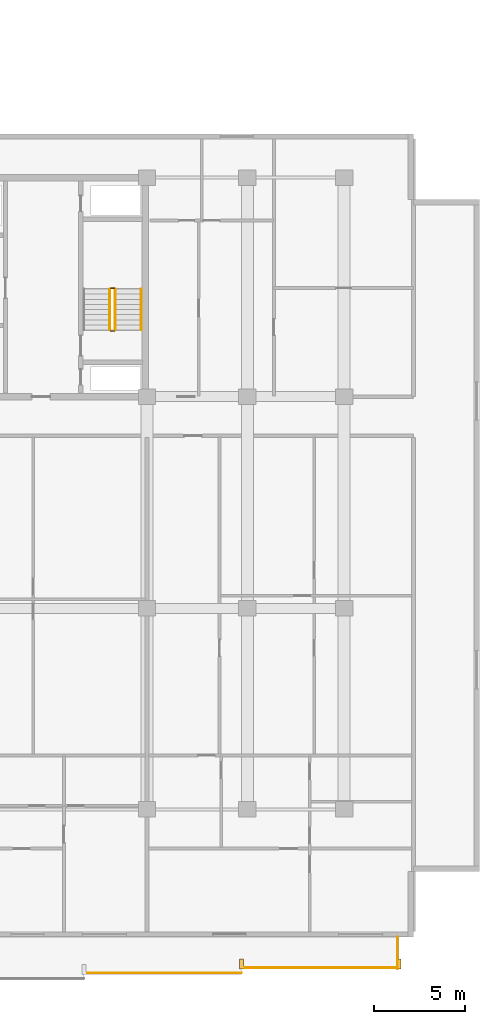
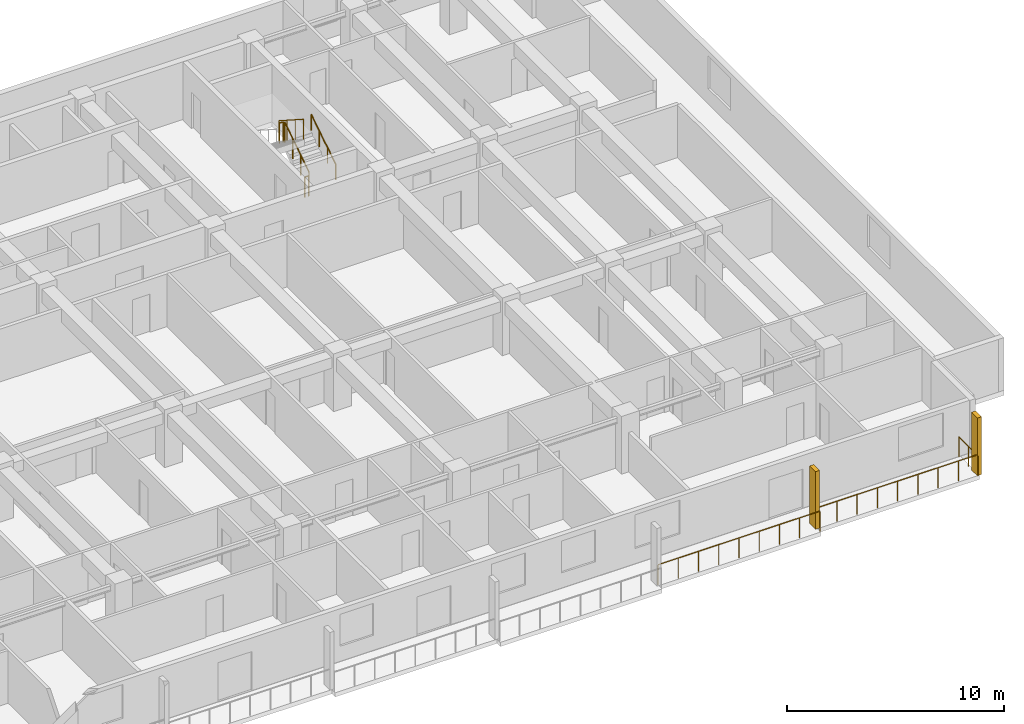
# One storey, part 21 of 23: 8 railings, 2 shading devices.
"""IFC4 building model written with IfcOpenShell, lengths in metres."""

import ifcopenshell
import ifcopenshell.guid

model = None  # the IFC model being written
_history = None  # IfcOwnerHistory: only IFC2X3 demands one
_inside = {}  # id of a spatial element -> (the spatial element, [elements in it])
_under = {}  # id of a project, library or spatial element -> (it, [spatial elements below it])
_declared = {}  # id of a project -> (the project, [libraries it declares])
_typed = {}  # id of a type object -> (the type object, [elements of that type])
_made_of = {}  # id of a material, layer set ... -> (it, [elements and type objects made of it])


def new_model(schema):
    """Start an empty IFC model of exactly this schema.

    Asked for "IFC4X3", IfcOpenShell would pick the latest addendum, in which some entities
    have other attributes; the version numbers below select the first issue.
    IFC2X3 requires an IfcOwnerHistory on every rooted entity: one is made here for all.
    """
    global model, _history
    if schema == "IFC4X3":
        model = ifcopenshell.file(schema_version=(4, 3, 0, 0))
    else:
        model = ifcopenshell.file(schema=schema)
    _inside.clear()
    _under.clear()
    _declared.clear()
    _typed.clear()
    _made_of.clear()
    _history = None
    if model.schema == "IFC2X3":
        org = make("IfcOrganization", Name="unknown")
        user = make(
            "IfcPersonAndOrganization",
            ThePerson=make("IfcPerson", FamilyName="unknown"),
            TheOrganization=org,
        )
        app = make(
            "IfcApplication",
            ApplicationDeveloper=org,
            Version="unknown",
            ApplicationFullName="unknown",
            ApplicationIdentifier="unknown",
        )
        _history = make(
            "IfcOwnerHistory",
            OwningUser=user,
            OwningApplication=app,
            ChangeAction="ADDED",
            CreationDate=0,
        )
    return model


def make(cls, **values):
    """One entity of the class cls with the attributes given. An attribute that is None is left unset."""
    return model.create_entity(
        cls, **{name: value for name, value in values.items() if value is not None}
    )


def rooted(cls, **values):
    """An entity with a GlobalId (a new one), such as an element, a storey or a relation."""
    return make(cls, GlobalId=ifcopenshell.guid.new(), OwnerHistory=_history, **values)


def si_unit(unit_type, name, prefix=None):
    """IfcSIUnit, for example si_unit("LENGTHUNIT", "METRE", prefix="MILLI")."""
    return make("IfcSIUnit", UnitType=unit_type, Prefix=prefix, Name=name)


def assignment(units):
    """IfcUnitAssignment: the units of a project."""
    return None if units is None else make("IfcUnitAssignment", Units=units)


def point(xyz):
    """IfcCartesianPoint."""
    return None if xyz is None else make("IfcCartesianPoint", Coordinates=xyz)


def direction(xyz):
    """IfcDirection."""
    return None if xyz is None else make("IfcDirection", DirectionRatios=xyz)


def frame(location, z_axis=None, x_axis=None):
    """IfcAxis2Placement3D, a coordinate frame: its origin and axes. An axis left out is left unset."""
    return make(
        "IfcAxis2Placement3D",
        Location=point(location),
        Axis=direction(z_axis),
        RefDirection=direction(x_axis),
    )


def frame_2d(location, x_axis=None):
    """IfcAxis2Placement2D, a coordinate frame in the plane: its origin and x axis."""
    return make(
        "IfcAxis2Placement2D", Location=point(location), RefDirection=direction(x_axis)
    )


def origin():
    """The frame at (0, 0, 0) with its axes left unset."""
    return frame((0.0, 0.0, 0.0))


def origin_2d():
    """The frame at (0, 0) in the plane with its x axis left unset."""
    return frame_2d((0.0, 0.0))


def place(relative_to, where):
    """IfcLocalPlacement: puts the frame where relative to a parent placement (None: the world)."""
    return make(
        "IfcLocalPlacement", PlacementRelTo=relative_to, RelativePlacement=where
    )


def context(
    kind, dimensions, precision=None, world=None, true_north=None, identifier=None
):
    """IfcGeometricRepresentationContext, for example the 3D "Model" context."""
    return make(
        "IfcGeometricRepresentationContext",
        ContextIdentifier=identifier,
        ContextType=kind,
        CoordinateSpaceDimension=dimensions,
        Precision=precision,
        WorldCoordinateSystem=world,
        TrueNorth=true_north,
    )


def subcontext(parent, identifier, kind, view, scale=None):
    """IfcGeometricRepresentationSubContext, for example "Body" below "Model"."""
    return make(
        "IfcGeometricRepresentationSubContext",
        ContextIdentifier=identifier,
        ContextType=kind,
        ParentContext=parent,
        TargetScale=scale,
        TargetView=view,
    )


def project(units=None, contexts=None):
    """IfcProject with its units and contexts."""
    return rooted(
        "IfcProject",
        Name="project",
        RepresentationContexts=contexts,
        UnitsInContext=assignment(units),
    )


def spatial(cls, under=None, at=None, **own):
    """A site, building, storey or space (cls), placed at a placement, below another one or the project."""
    s = rooted(cls, ObjectPlacement=at, **own)
    if under is not None:
        _under.setdefault(under.id(), (under, []))[1].append(s)
    return s


def profile(cls, at=None, kind="AREA", **sizes):
    """A parametric profile (cls). Its sizes go by their IFC names, for example OverallWidth=200.0."""
    return make(cls, ProfileType=kind, Position=at, **sizes)


def rectangle(**sizes):
    """IfcRectangleProfileDef."""
    return profile("IfcRectangleProfileDef", **sizes)


def circle(**sizes):
    """IfcCircleProfileDef."""
    return profile("IfcCircleProfileDef", **sizes)


def extrude(swept, where, along, depth):
    """IfcExtrudedAreaSolid: the profile swept, set in the frame where, extruded along a direction by depth."""
    return make(
        "IfcExtrudedAreaSolid",
        SweptArea=swept,
        Position=where,
        ExtrudedDirection=direction(along),
        Depth=depth,
    )


def shape(context_of_items, identifier, shape_type, items):
    """IfcShapeRepresentation: the items that make up one representation, for example the "Body"."""
    return make(
        "IfcShapeRepresentation",
        ContextOfItems=context_of_items,
        RepresentationIdentifier=identifier,
        RepresentationType=shape_type,
        Items=items,
    )


def material(Name=None, Category=None):
    """IfcMaterial."""
    return make("IfcMaterial", Name=Name, Category=Category)


def made_of(thing, what):
    """Note that an element or type object is made of a material, layer set ...; save() writes the relation."""
    if what is not None:
        _made_of.setdefault(what.id(), (what, []))[1].append(thing)
    return thing


def type_object(cls, material=None, **own):
    """A type object (cls), such as IfcWallType, which elements share."""
    return made_of(rooted(cls, **own), material)


def element(
    cls,
    number,
    at=None,
    inside=None,
    cuts=None,
    type_object=None,
    material=None,
    context=None,
    identifier="Body",
    shape_type=None,
    held_by="IfcProductDefinitionShape",
    body=None,
    shapes=None,
    **own,
):
    """One element of the class cls, such as IfcWall. Its Tag is "e" and its number.

    at: its placement. inside: the storey or other place that contains it. cuts: it is an
    opening in that element (IfcRelVoidsElement). A single representation is given by context,
    identifier, shape_type and body (its items); several are given by shapes. held_by: the class
    of the entity that holds the representations. save() writes the other relations.
    """
    e = rooted(cls, Tag="e%d" % number, ObjectPlacement=at, **own)
    if body is not None:
        shapes = [shape(context, identifier, shape_type, body)]
    if shapes is not None:
        e.Representation = make(held_by, Representations=shapes)
    if inside is not None:
        _inside.setdefault(inside.id(), (inside, []))[1].append(e)
    if cuts is not None:
        rooted(
            "IfcRelVoidsElement", RelatingBuildingElement=cuts, RelatedOpeningElement=e
        )
    if type_object is not None:
        _typed.setdefault(type_object.id(), (type_object, []))[1].append(e)
    return made_of(e, material)


def aggregate(whole, parts):
    """IfcRelAggregates: a whole, such as a stair, and the parts it consists of."""
    return rooted("IfcRelAggregates", RelatingObject=whole, RelatedObjects=parts)


def save(model, path):
    """Write the relations noted so far, then the file.

    IfcRelAggregates (storeys below a building ...), IfcRelContainedInSpatialStructure (elements
    in a storey), IfcRelDefinesByType, IfcRelAssociatesMaterial and IfcRelDeclares: one each for
    every whole, place, type object, material and project.
    """
    for whole, parts in _under.values():
        aggregate(whole, parts)
    for where, things in _inside.values():
        rooted(
            "IfcRelContainedInSpatialStructure",
            RelatedElements=things,
            RelatingStructure=where,
        )
    for kind, things in _typed.values():
        rooted("IfcRelDefinesByType", RelatedObjects=things, RelatingType=kind)
    for what, things in _made_of.values():
        rooted("IfcRelAssociatesMaterial", RelatedObjects=things, RelatingMaterial=what)
    for by, libraries in _declared.values():
        rooted("IfcRelDeclares", RelatingContext=by, RelatedDefinitions=libraries)
    model.write(path)


model = new_model("IFC4")

# Units and contexts
model_context = context("Model", 3, precision=1e-05, world=origin(), true_north=direction((0.0, 1.0)))
body_context = subcontext(model_context, "Body", "Model", "MODEL_VIEW")
ifc_project = project(units=[si_unit("LENGTHUNIT", "METRE"), si_unit("AREAUNIT", "SQUARE_METRE"), si_unit("VOLUMEUNIT", "CUBIC_METRE"), si_unit("PLANEANGLEUNIT", "RADIAN"), si_unit("MASSUNIT", "GRAM", prefix="KILO")], contexts=[model_context])

# Site, building, storey
site_placement = place(None, origin())
site = spatial("IfcSite", under=ifc_project, at=site_placement, CompositionType="ELEMENT")
building_placement = place(site_placement, origin())
building = spatial("IfcBuilding", under=site, at=building_placement, Name="Korimba Cascade Residences", CompositionType="ELEMENT")
storey_placement = place(building_placement, frame((0.0, 0.0, 69.5)))
storey = spatial("IfcBuildingStorey", under=building, at=storey_placement, Name="L19", CompositionType="ELEMENT", Elevation=69.5)

# Railings
ifc_material_1 = material(Name="Laminated Glass and Bronze Balustrade", Category="glass")
railing_type_1 = type_object("IfcRailingType", Name="RLG-LOG-1150", PredefinedType="BALUSTRADE", material=ifc_material_1)
railing_1_placement = place(storey_placement, frame((114.642822265625, -13.169921875, 0.0)))
element("IfcRailing", 1, at=railing_1_placement, inside=storey, type_object=railing_type_1, Name="L19 Perimeter Guardrail RLG-L19-T2-LOG-05", PredefinedType="BALUSTRADE", context=body_context, shape_type="SweptSolid", body=[
    extrude(circle(Radius=0.02392578125, at=origin_2d()), frame((0.0, 0.0, 1.1259765625), z_axis=(1.0, 0.0, 0.0), x_axis=(0.0, 1.0, 0.0)), (0.0, 0.0, 1.0), 8.628662109375),
    extrude(circle(Radius=0.02099609375, at=origin_2d()), origin(), (0.0, 0.0, 1.0), 1.101806640625),
    extrude(circle(Radius=0.02099609375, at=origin_2d()), frame((1.07861328125, 0.0, 0.0)), (0.0, 0.0, 1.0), 1.101806640625),
    extrude(circle(Radius=0.02099609375, at=origin_2d()), frame((2.1572265625, 0.0, 0.0)), (0.0, 0.0, 1.0), 1.101806640625),
    extrude(circle(Radius=0.02099609375, at=origin_2d()), frame((3.23583984375, 0.0, 0.0)), (0.0, 0.0, 1.0), 1.101806640625),
    extrude(circle(Radius=0.02099609375, at=origin_2d()), frame((4.314453125, 0.0, 0.0)), (0.0, 0.0, 1.0), 1.101806640625),
    extrude(circle(Radius=0.02099609375, at=origin_2d()), frame((5.392822265625, 0.0, 0.0)), (0.0, 0.0, 1.0), 1.101806640625),
    extrude(circle(Radius=0.02099609375, at=origin_2d()), frame((6.471435546875, 0.0, 0.0)), (0.0, 0.0, 1.0), 1.101806640625),
    extrude(circle(Radius=0.02099609375, at=origin_2d()), frame((7.550048828125, 0.0, 0.0)), (0.0, 0.0, 1.0), 1.101806640625),
    extrude(circle(Radius=0.02099609375, at=origin_2d()), frame((8.628662109375, 0.0, 0.0)), (0.0, 0.0, 1.0), 1.101806640625),
])
railing_2_placement = place(storey_placement, frame((123.271484375, -12.8701171875, 0.0)))
element("IfcRailing", 2, at=railing_2_placement, inside=storey, type_object=railing_type_1, Name="L19 Perimeter Guardrail RLG-L19-T2-LOG-06", PredefinedType="BALUSTRADE", context=body_context, shape_type="SweptSolid", body=[
    extrude(circle(Radius=0.02392578125, at=origin_2d()), frame((0.0, 0.0, 1.1259765625), z_axis=(1.0, 0.0, 0.0), x_axis=(0.0, 1.0, 0.0)), (0.0, 0.0, 1.0), 8.62841796875),
    extrude(circle(Radius=0.02099609375, at=origin_2d()), origin(), (0.0, 0.0, 1.0), 1.101806640625),
    extrude(circle(Radius=0.02099609375, at=origin_2d()), frame((1.07861328125, 0.0, 0.0)), (0.0, 0.0, 1.0), 1.101806640625),
    extrude(circle(Radius=0.02099609375, at=origin_2d()), frame((2.1572265625, 0.0, 0.0)), (0.0, 0.0, 1.0), 1.101806640625),
    extrude(circle(Radius=0.02099609375, at=origin_2d()), frame((3.235595703125, 0.0, 0.0)), (0.0, 0.0, 1.0), 1.101806640625),
    extrude(circle(Radius=0.02099609375, at=origin_2d()), frame((4.314208984375, 0.0, 0.0)), (0.0, 0.0, 1.0), 1.101806640625),
    extrude(circle(Radius=0.02099609375, at=origin_2d()), frame((5.392822265625, 0.0, 0.0)), (0.0, 0.0, 1.0), 1.101806640625),
    extrude(circle(Radius=0.02099609375, at=origin_2d()), frame((6.47119140625, 0.0, 0.0)), (0.0, 0.0, 1.0), 1.101806640625),
    extrude(circle(Radius=0.02099609375, at=origin_2d()), frame((7.5498046875, 0.0, 0.0)), (0.0, 0.0, 1.0), 1.101806640625),
    extrude(circle(Radius=0.02099609375, at=origin_2d()), frame((8.62841796875, 0.0, 0.0)), (0.0, 0.0, 1.0), 1.101806640625),
])
railing_3_placement = place(storey_placement, frame((131.820068359375, -12.949951171875, 0.0)))
element("IfcRailing", 3, at=railing_3_placement, inside=storey, type_object=railing_type_1, Name="L19 Perimeter Guardrail RLG-L19-T2-LOG-07", PredefinedType="BALUSTRADE", context=body_context, shape_type="SweptSolid", body=[
    extrude(circle(Radius=0.02392578125, at=origin_2d()), frame((0.0, 0.0, 1.1259765625), z_axis=(0.0, 1.0, 0.0), x_axis=(-1.0, 0.0, 0.0)), (0.0, 0.0, 1.0), 1.75),
    extrude(circle(Radius=0.02099609375, at=origin_2d()), origin(), (0.0, 0.0, 1.0), 1.101806640625),
    extrude(circle(Radius=0.02099609375, at=origin_2d()), frame((0.0, 0.875, 0.0)), (0.0, 0.0, 1.0), 1.101806640625),
    extrude(circle(Radius=0.02099609375, at=origin_2d()), frame((0.0, 1.75, 0.0)), (0.0, 0.0, 1.0), 1.101806640625),
])
ifc_material_2 = material(Name="Painted Steel Stairwell Guardrail", Category="steel")
railing_type_2 = type_object("IfcRailingType", Name="RLG-ST-GD1150", PredefinedType="GUARDRAIL", material=ifc_material_2)
railing_4_placement = place(storey_placement, frame((116.3701171875, 22.050048828125, 0.1806640625)))
element("IfcRailing", 4, at=railing_4_placement, inside=storey, type_object=railing_type_2, Name="L19 ST-E2 stair guard 1", PredefinedType="GUARDRAIL", context=body_context, shape_type="SweptSolid", body=[
    extrude(circle(Radius=0.02392578125, at=origin_2d()), frame((0.0, 0.0, 1.1259765625), z_axis=(0.0, 0.840436612492, 0.541909863706), x_axis=(-1.0, 0.0, 0.0)), (0.0, 0.0, 1.0), 2.665283203125),
    extrude(circle(Radius=0.02099609375, at=origin_2d()), origin(), (0.0, 0.0, 1.0), 1.101806640625),
    extrude(circle(Radius=0.02099609375, at=origin_2d()), frame((0.0, 0.74658203125, 0.4814453125)), (0.0, 0.0, 1.0), 1.101806640625),
    extrude(circle(Radius=0.02099609375, at=origin_2d()), frame((0.0, 1.493408203125, 0.962890625)), (0.0, 0.0, 1.0), 1.101806640625),
    extrude(circle(Radius=0.02099609375, at=origin_2d()), frame((0.0, 2.239990234375, 1.4443359375)), (0.0, 0.0, 1.0), 1.101806640625),
])
railing_5_placement = place(storey_placement, frame((116.320068359375, 24.340087890625, 1.625)))
element("IfcRailing", 5, at=railing_5_placement, inside=storey, type_object=railing_type_2, Name="L19 ST-E2 stair guard 2", PredefinedType="GUARDRAIL", context=body_context, shape_type="SweptSolid", body=[
    extrude(circle(Radius=0.02392578125, at=origin_2d()), frame((0.0, 0.0, 1.1259765625), z_axis=(-1.0, 0.0, 0.0), x_axis=(0.0, -1.0, 0.0)), (0.0, 0.0, 1.0), 0.199951171875),
    extrude(circle(Radius=0.02099609375, at=origin_2d()), origin(), (0.0, 0.0, 1.0), 1.101806640625),
    extrude(circle(Radius=0.02099609375, at=origin_2d()), frame((-0.199951171875, 0.0, 0.0)), (0.0, 0.0, 1.0), 1.101806640625),
])
railing_6_placement = place(storey_placement, frame((116.070068359375, 24.2900390625, 1.8056640625)))
element("IfcRailing", 6, at=railing_6_placement, inside=storey, type_object=railing_type_2, Name="L19 ST-E2 stair guard 3", PredefinedType="GUARDRAIL", context=body_context, shape_type="SweptSolid", body=[
    extrude(circle(Radius=0.02392578125, at=origin_2d()), frame((0.0, 0.0, 1.1259765625), z_axis=(0.0, -0.840436612492, 0.541909863706), x_axis=(1.0, 0.0, 0.0)), (0.0, 0.0, 1.0), 2.665283203125),
    extrude(circle(Radius=0.02099609375, at=origin_2d()), origin(), (0.0, 0.0, 1.0), 1.101806640625),
    extrude(circle(Radius=0.02099609375, at=origin_2d()), frame((0.0, -0.74658203125, 0.4814453125)), (0.0, 0.0, 1.0), 1.101806640625),
    extrude(circle(Radius=0.02099609375, at=origin_2d()), frame((0.0, -1.493408203125, 0.962890625)), (0.0, 0.0, 1.0), 1.101806640625),
    extrude(circle(Radius=0.02099609375, at=origin_2d()), frame((0.0, -2.239990234375, 1.4443359375)), (0.0, 0.0, 1.0), 1.101806640625),
])
railing_7_placement = place(storey_placement, frame((116.320068359375, 22.0, 0.0)))
element("IfcRailing", 7, at=railing_7_placement, inside=storey, type_object=railing_type_2, Name="L19 ST-E2 stair guard 4", PredefinedType="GUARDRAIL", context=body_context, shape_type="SweptSolid", body=[
    extrude(circle(Radius=0.02392578125, at=origin_2d()), frame((0.0, 0.0, 1.1259765625), z_axis=(-1.0, 0.0, 0.0), x_axis=(0.0, -1.0, 0.0)), (0.0, 0.0, 1.0), 0.199951171875),
    extrude(circle(Radius=0.02099609375, at=origin_2d()), origin(), (0.0, 0.0, 1.0), 1.101806640625),
    extrude(circle(Radius=0.02099609375, at=origin_2d()), frame((-0.199951171875, 0.0, 0.0)), (0.0, 0.0, 1.0), 1.101806640625),
])
ifc_material_3 = material(Name="Brushed Stainless Steel Handrail", Category="steel")
railing_type_3 = type_object("IfcRailingType", Name="RLG-ST-HR900", PredefinedType="HANDRAIL", material=ifc_material_3)
railing_8_placement = place(storey_placement, frame((117.7900390625, 22.050048828125, 0.364990234375)))
element("IfcRailing", 8, at=railing_8_placement, inside=storey, type_object=railing_type_3, Name="L19 ST-E2 stair handrail 1", PredefinedType="HANDRAIL", context=body_context, shape_type="SweptSolid", body=[
    extrude(circle(Radius=0.02392578125, at=origin_2d()), frame((0.0, 0.0, 0.8759765625), z_axis=(0.0, 0.840436612492, 0.541909863706), x_axis=(-1.0, 0.0, 0.0)), (0.0, 0.0, 1.0), 2.665283203125),
    extrude(circle(Radius=0.02099609375, at=origin_2d()), origin(), (0.0, 0.0, 1.0), 0.851806640625),
    extrude(circle(Radius=0.02099609375, at=origin_2d()), frame((0.0, 0.74658203125, 0.4814453125)), (0.0, 0.0, 1.0), 0.851806640625),
    extrude(circle(Radius=0.02099609375, at=origin_2d()), frame((0.0, 1.493408203125, 0.962890625)), (0.0, 0.0, 1.0), 0.851806640625),
    extrude(circle(Radius=0.02099609375, at=origin_2d()), frame((0.0, 2.239990234375, 1.4443359375)), (0.0, 0.0, 1.0), 0.851806640625),
])

# Shading devices
ifc_material_4 = material(Name="Honed Sandstone Precast Fin", Category="masonry")
shading_device_type = type_object("IfcShadingDeviceType", Name="SHD-FIN-550", PredefinedType="USERDEFINED", material=ifc_material_4)
for number, where, z_axis, x_axis, name in (
    (9, (123.271484375, -12.675048828125, 0.0), (0.0, 0.0, 1.0), (1.0, 0.0, 0.0), "L19 T2 Warm-Stone Loggia Fin 7"),
    (10, (131.89990234375, -12.675048828125, 0.0), (0.0, 0.0, 1.0), (1.0, 0.0, 0.0), "L19 T2 Warm-Stone Loggia Fin 8"),
):
    element("IfcShadingDevice", number, at=place(storey_placement, frame(where, z_axis=z_axis, x_axis=x_axis)), inside=storey, type_object=shading_device_type, Name=name, ObjectType="FIN", PredefinedType="USERDEFINED", context=body_context, shape_type="SweptSolid", body=[
        extrude(rectangle(XDim=0.219970703125, YDim=0.550048828125, at=origin_2d()), origin(), (0.0, 0.0, 1.0), 3.25),
    ])

save(model, "model.ifc")
